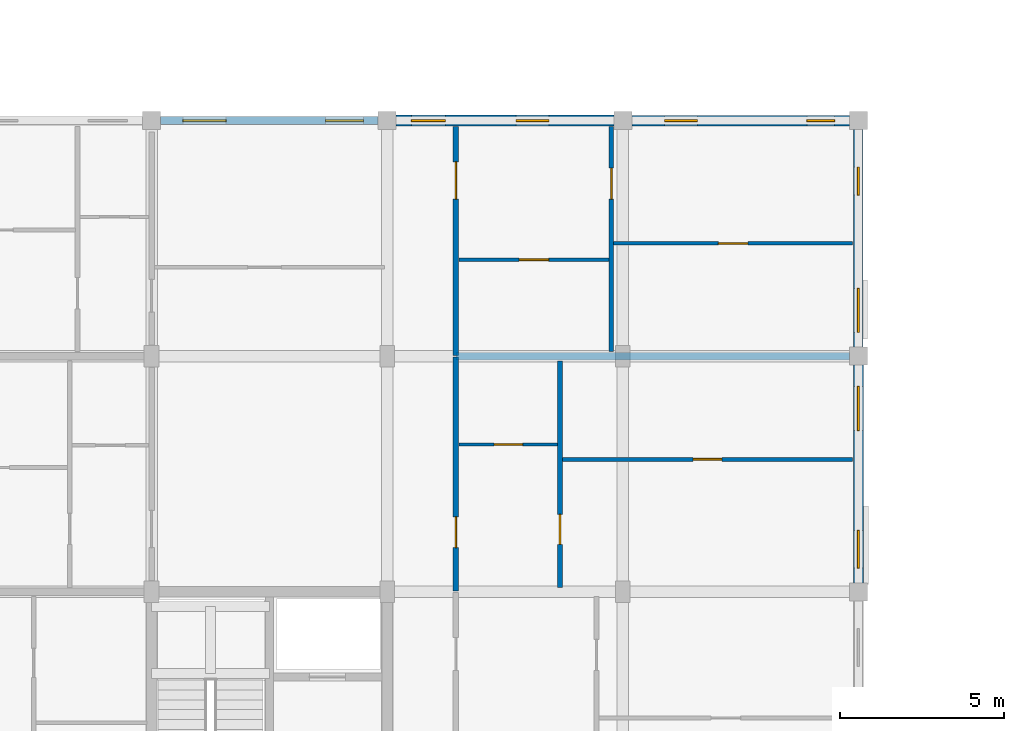
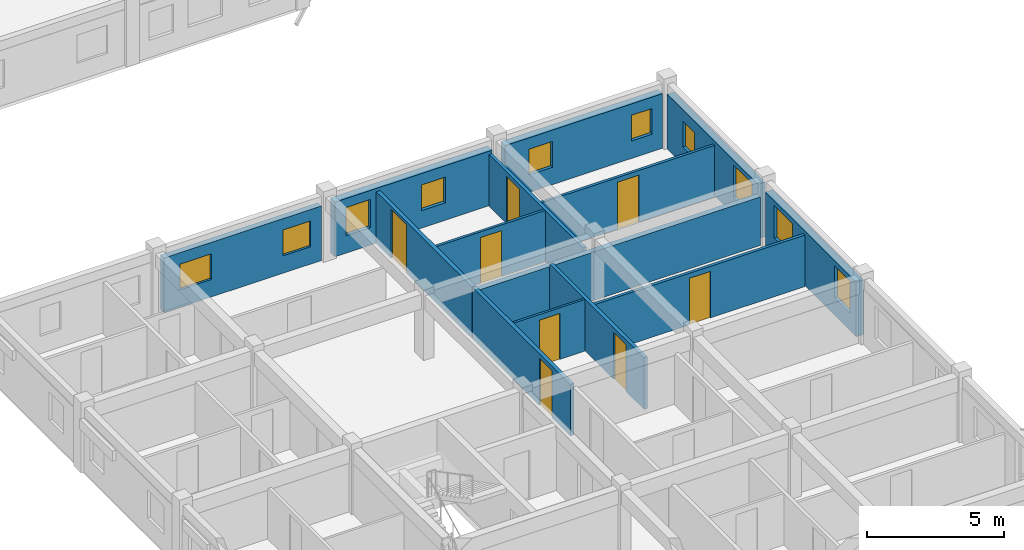
# One storey, part 54 of 77: 14 walls, 10 windows, 8 doors, 18 openings.
"""IFC4 building model written with IfcOpenShell, lengths in metres."""

from ifc_helpers import new_model, si_unit, direction, frame, frame_2d, origin, place, context, subcontext, project, spatial, rectangle, extrude, material, layer, layer_set, type_object, element, fill, save


model = new_model("IFC4")

# Units and contexts
model_context = context("Model", 3, precision=1e-05, world=origin(), true_north=direction((0.0, 1.0)))
body_context = subcontext(model_context, "Body", "Model", "MODEL_VIEW")
ifc_project = project(units=[si_unit("LENGTHUNIT", "METRE"), si_unit("AREAUNIT", "SQUARE_METRE"), si_unit("VOLUMEUNIT", "CUBIC_METRE"), si_unit("PLANEANGLEUNIT", "RADIAN"), si_unit("MASSUNIT", "GRAM", prefix="KILO"), si_unit("THERMODYNAMICTEMPERATUREUNIT", "KELVIN"), si_unit("POWERUNIT", "WATT")], contexts=[model_context])

# Site, building, storey
site_placement = place(None, origin())
site = spatial("IfcSite", under=ifc_project, at=site_placement, CompositionType="ELEMENT")
building_placement = place(site_placement, origin())
building = spatial("IfcBuilding", under=site, at=building_placement, Name="Tavuni Mirador Residences", CompositionType="ELEMENT")
storey_placement = place(building_placement, frame((0.0, 0.0, 17.10009765625)))
storey = spatial("IfcBuildingStorey", under=building, at=storey_placement, Name="L05", CompositionType="ELEMENT", Elevation=17.10009765625)

# Wall, opening, door
ifc_material_1 = material(Name="Precast concrete C40/50", Category="concrete")
ifc_layer_1 = layer(ifc_material_1, 0.1650390625, Name="Precast concrete C40/50", Category="concrete")
ifc_layer_set_1 = layer_set([ifc_layer_1], Name="Precast concrete C40/50")
wall_type_1 = type_object("IfcWallType", Name="WT-CORR165", PredefinedType="PARTITIONING", material=ifc_layer_set_1)
wall_1_placement = place(storey_placement, frame((20.10009765625, 36.02001953125, 0.0), z_axis=(0.0, 0.0, 1.0), x_axis=(0.0, 1.0, 0.0)))
wall_1 = element("IfcWall", 1, at=wall_1_placement, inside=storey, type_object=wall_type_1, Name="CORW-BLK-A-L05-0-04", PredefinedType="PARTITIONING", context=body_context, shape_type="SweptSolid", body=[
    extrude(rectangle(XDim=7.159912109375, YDim=0.1650390625, at=frame_2d((3.580078125, 0.0))), origin(), (0.0, 0.0, 1.0), 2.304931640625),
])
opening_1_placement = place(wall_1_placement, frame((1.330078125, 0.0, 0.0)))
opening_1 = element("IfcOpeningElement", 2, at=opening_1_placement, cuts=wall_1, Name="Opening D-19", PredefinedType="OPENING", context=body_context, shape_type="SweptSolid", body=[
    extrude(rectangle(XDim=0.93994140625, YDim=2.1201171875, at=frame_2d((0.469970703125, 1.06005859375))), frame((0.0, 0.092529296875, 0.0), z_axis=(0.0, -1.0, 0.0), x_axis=(1.0, 0.0, 0.0)), (0.0, 0.0, 1.0), 0.18505859375),
])
ifc_material_2 = material(Name="Solid core iroko timber", Category="wood")
door_type_1 = type_object("IfcDoorType", Name="DT-FD60-940", OperationType="NOTDEFINED", PredefinedType="DOOR", material=ifc_material_2)
door_1_placement = place(opening_1_placement, origin())
door_1 = element("IfcDoor", 3, at=door_1_placement, inside=storey, type_object=door_type_1, Name="DR-2437", OperationType="SINGLE_SWING_RIGHT", OverallHeight=2.1201171875, OverallWidth=0.93994140625, PredefinedType="DOOR", context=body_context, shape_type="SweptSolid", body=[
    extrude(rectangle(XDim=0.93994140625, YDim=2.1201171875, at=frame_2d((0.469970703125, 1.06005859375))), frame((0.0, 0.02490234375, 0.0), z_axis=(0.0, -1.0, 0.0), x_axis=(1.0, 0.0, 0.0)), (0.0, 0.0, 1.0), 0.050048828125),
])
fill(opening_1, door_1)

wall_2_placement = place(storey_placement, frame((20.10009765625, 43.219970703125, 0.0), z_axis=(0.0, 0.0, 1.0), x_axis=(0.0, 1.0, 0.0)))
wall_2 = element("IfcWall", 4, at=wall_2_placement, inside=storey, type_object=wall_type_1, Name="CORW-BLK-A-L05-0-05", PredefinedType="PARTITIONING", context=body_context, shape_type="SweptSolid", body=[
    extrude(rectangle(XDim=7.005126953125, YDim=0.1650390625, at=frame_2d((3.50244140625, 0.0))), origin(), (0.0, 0.0, 1.0), 2.304931640625),
])
opening_2_placement = place(wall_2_placement, frame((4.780029296875, 0.0, 0.0)))
opening_2 = element("IfcOpeningElement", 5, at=opening_2_placement, cuts=wall_2, Name="Opening D-20", PredefinedType="OPENING", context=body_context, shape_type="SweptSolid", body=[
    extrude(rectangle(XDim=1.139892578125, YDim=2.179931640625, at=frame_2d((0.56982421875, 1.08984375))), frame((0.0, 0.092529296875, 0.0), z_axis=(0.0, -1.0, 0.0), x_axis=(1.0, 0.0, 0.0)), (0.0, 0.0, 1.0), 0.18505859375),
])
door_type_2 = type_object("IfcDoorType", Name="DT-FD60-1140", OperationType="NOTDEFINED", PredefinedType="DOOR", material=ifc_material_2)
door_2_placement = place(opening_2_placement, origin())
door_2 = element("IfcDoor", 6, at=door_2_placement, inside=storey, type_object=door_type_2, Name="DR-2438", OperationType="SINGLE_SWING_LEFT", OverallHeight=2.179931640625, OverallWidth=1.139892578125, PredefinedType="DOOR", context=body_context, shape_type="SweptSolid", body=[
    extrude(rectangle(XDim=1.139892578125, YDim=2.179931640625, at=frame_2d((0.56982421875, 1.08984375))), frame((0.0, 0.02490234375, 0.0), z_axis=(0.0, -1.0, 0.0), x_axis=(1.0, 0.0, 0.0)), (0.0, 0.0, 1.0), 0.050048828125),
])
fill(opening_2, door_2)

# Wall, openings, windows
ifc_layer_2 = layer(ifc_material_1, 0.330078125, Name="Precast concrete C40/50", Category="concrete")
ifc_layer_set_2 = layer_set([ifc_layer_2], Name="Precast concrete C40/50")
wall_type_2 = type_object("IfcWallType", Name="WT-EXT-COR330", PredefinedType="SOLIDWALL", material=ifc_layer_set_2)
wall_3_placement = place(storey_placement, frame((24.925048828125, 50.39990234375, 0.0), z_axis=(0.0, 0.0, 1.0), x_axis=(-1.0, 0.0, 0.0)))
wall_3 = element("IfcWall", 7, at=wall_3_placement, inside=storey, type_object=wall_type_2, Name="EW-BLK-A-L05-N02", PredefinedType="SOLIDWALL", context=body_context, shape_type="SweptSolid", body=[
    extrude(rectangle(XDim=6.650146484375, YDim=0.330078125, at=frame_2d((3.3251953125, 0.0))), origin(), (0.0, 0.0, 1.0), 2.43994140625),
])
opening_3_placement = place(wall_3_placement, frame((1.982421875, 0.0, 0.780029296875)))
opening_3 = element("IfcOpeningElement", 8, at=opening_3_placement, cuts=wall_3, Name="Opening WN-03", PredefinedType="OPENING", context=body_context, shape_type="SweptSolid", body=[
    extrude(rectangle(XDim=1.0, YDim=1.14990234375, at=frame_2d((0.5, 0.574951171875))), frame((0.0, 0.175048828125, 0.0), z_axis=(0.0, -1.0, 0.0), x_axis=(1.0, 0.0, 0.0)), (0.0, 0.0, 1.0), 0.35009765625),
])
opening_4_placement = place(wall_3_placement, frame((5.1474609375, 0.0, 0.780029296875)))
opening_4 = element("IfcOpeningElement", 9, at=opening_4_placement, cuts=wall_3, Name="Opening WN-11", PredefinedType="OPENING", context=body_context, shape_type="SweptSolid", body=[
    extrude(rectangle(XDim=1.0400390625, YDim=1.260009765625, at=frame_2d((0.52001953125, 0.6298828125))), frame((0.0, 0.175048828125, 0.0), z_axis=(0.0, -1.0, 0.0), x_axis=(1.0, 0.0, 0.0)), (0.0, 0.0, 1.0), 0.35009765625),
])
ifc_material_3 = material(Name="Laminated solar-control glass", Category="glass")
window_type_1 = type_object("IfcWindowType", Name="WNT-03", PartitioningType="SINGLE_PANEL", PredefinedType="WINDOW", material=ifc_material_3)
window_1_placement = place(opening_3_placement, origin())
window_1 = element("IfcWindow", 10, at=window_1_placement, inside=storey, type_object=window_type_1, Name="WIN-0207", OverallHeight=1.14990234375, OverallWidth=1.0, PartitioningType="SINGLE_PANEL", PredefinedType="WINDOW", context=body_context, shape_type="SweptSolid", body=[
    extrude(rectangle(XDim=1.0, YDim=1.14990234375, at=frame_2d((0.5, 0.574951171875))), frame((0.0, 0.030029296875, 0.0), z_axis=(0.0, -1.0, 0.0), x_axis=(1.0, 0.0, 0.0)), (0.0, 0.0, 1.0), 0.06005859375),
])
fill(opening_3, window_1)
window_type_2 = type_object("IfcWindowType", Name="WNT-11", PartitioningType="SINGLE_PANEL", PredefinedType="WINDOW", material=ifc_material_3)
window_2_placement = place(opening_4_placement, origin())
window_2 = element("IfcWindow", 11, at=window_2_placement, inside=storey, type_object=window_type_2, Name="WIN-0208", OverallHeight=1.260009765625, OverallWidth=1.0400390625, PartitioningType="SINGLE_PANEL", PredefinedType="WINDOW", context=body_context, shape_type="SweptSolid", body=[
    extrude(rectangle(XDim=1.0400390625, YDim=1.260009765625, at=frame_2d((0.52001953125, 0.6298828125))), frame((0.0, 0.030029296875, 0.0), z_axis=(0.0, -1.0, 0.0), x_axis=(1.0, 0.0, 0.0)), (0.0, 0.0, 1.0), 0.06005859375),
])
fill(opening_4, window_2)

ifc_material_4 = material(Name="Sgraffito lime-rendered precast concrete C40/50", Category="concrete")
ifc_layer_3 = layer(ifc_material_4, 0.2451171875, Name="Sgraffito lime-rendered precast concrete C40/50", Category="concrete")
ifc_layer_set_3 = layer_set([ifc_layer_3], Name="Sgraffito lime-rendered precast concrete C40/50")
wall_type_3 = type_object("IfcWallType", Name="WT-EXT-PC245", PredefinedType="SOLIDWALL", material=ifc_layer_set_3)
wall_4_placement = place(storey_placement, frame((17.72509765625, 50.39990234375, 0.0), z_axis=(0.0, 0.0, 1.0), x_axis=(-1.0, 0.0, 0.0)))
wall_4 = element("IfcWall", 12, at=wall_4_placement, inside=storey, type_object=wall_type_3, Name="EW-BLK-A-L05-N01", PredefinedType="SOLIDWALL", context=body_context, shape_type="SweptSolid", body=[
    extrude(rectangle(XDim=6.650146484375, YDim=0.2451171875, at=frame_2d((3.3251953125, 0.0))), origin(), (0.0, 0.0, 1.0), 2.43994140625),
])
opening_5_placement = place(wall_4_placement, frame((0.449951171875, 0.0, 0.780029296875)))
opening_5 = element("IfcOpeningElement", 13, at=opening_5_placement, cuts=wall_4, Name="Opening WN-05", PredefinedType="OPENING", context=body_context, shape_type="SweptSolid", body=[
    extrude(rectangle(XDim=1.159912109375, YDim=1.14990234375, at=frame_2d((0.580078125, 0.574951171875))), frame((0.0, 0.132568359375, 0.0), z_axis=(0.0, -1.0, 0.0), x_axis=(1.0, 0.0, 0.0)), (0.0, 0.0, 1.0), 0.26513671875),
])
opening_6_placement = place(wall_4_placement, frame((4.64990234375, 0.0, 0.780029296875)))
opening_6 = element("IfcOpeningElement", 14, at=opening_6_placement, cuts=wall_4, Name="Opening WN-07", PredefinedType="OPENING", context=body_context, shape_type="SweptSolid", body=[
    extrude(rectangle(XDim=1.320068359375, YDim=1.14990234375, at=frame_2d((0.66015625, 0.574951171875))), frame((0.0, 0.132568359375, 0.0), z_axis=(0.0, -1.0, 0.0), x_axis=(1.0, 0.0, 0.0)), (0.0, 0.0, 1.0), 0.26513671875),
])
window_type_3 = type_object("IfcWindowType", Name="WNT-05", PartitioningType="SINGLE_PANEL", PredefinedType="WINDOW", material=ifc_material_3)
window_3_placement = place(opening_5_placement, origin())
window_3 = element("IfcWindow", 15, at=window_3_placement, inside=storey, type_object=window_type_3, Name="WIN-0209", OverallHeight=1.14990234375, OverallWidth=1.159912109375, PartitioningType="SINGLE_PANEL", PredefinedType="WINDOW", context=body_context, shape_type="SweptSolid", body=[
    extrude(rectangle(XDim=1.159912109375, YDim=1.14990234375, at=frame_2d((0.580078125, 0.574951171875))), frame((0.0, 0.030029296875, 0.0), z_axis=(0.0, -1.0, 0.0), x_axis=(1.0, 0.0, 0.0)), (0.0, 0.0, 1.0), 0.06005859375),
])
fill(opening_5, window_3)
window_type_4 = type_object("IfcWindowType", Name="WNT-07", PartitioningType="SINGLE_PANEL", PredefinedType="WINDOW", material=ifc_material_3)
window_4_placement = place(opening_6_placement, origin())
window_4 = element("IfcWindow", 16, at=window_4_placement, inside=storey, type_object=window_type_4, Name="WIN-0210", OverallHeight=1.14990234375, OverallWidth=1.320068359375, PartitioningType="SINGLE_PANEL", PredefinedType="WINDOW", context=body_context, shape_type="SweptSolid", body=[
    extrude(rectangle(XDim=1.320068359375, YDim=1.14990234375, at=frame_2d((0.66015625, 0.574951171875))), frame((0.0, 0.030029296875, 0.0), z_axis=(0.0, -1.0, 0.0), x_axis=(1.0, 0.0, 0.0)), (0.0, 0.0, 1.0), 0.06005859375),
])
fill(opening_6, window_4)

ifc_layer_4 = layer(ifc_material_4, 0.2900390625, Name="Sgraffito lime-rendered precast concrete C40/50", Category="concrete")
ifc_layer_set_4 = layer_set([ifc_layer_4], Name="Sgraffito lime-rendered precast concrete C40/50")
wall_type_4 = type_object("IfcWallType", Name="WT-EXT-PC290", PredefinedType="SOLIDWALL", material=ifc_layer_set_4)
wall_5_placement = place(storey_placement, frame((32.39990234375, 43.47509765625, 0.0), z_axis=(0.0, 0.0, 1.0), x_axis=(0.0, 1.0, 0.0)))
wall_5 = element("IfcWall", 17, at=wall_5_placement, inside=storey, type_object=wall_type_4, Name="EW-BLK-A-L05-E05", PredefinedType="SOLIDWALL", context=body_context, shape_type="SweptSolid", body=[
    extrude(rectangle(XDim=6.64990234375, YDim=0.2900390625, at=frame_2d((3.324951171875, 0.0))), origin(), (0.0, 0.0, 1.0), 2.43994140625),
])
opening_7_placement = place(wall_5_placement, frame((0.449951171875, 0.0, 0.780029296875)))
opening_7 = element("IfcOpeningElement", 18, at=opening_7_placement, cuts=wall_5, Name="Opening WN-29", PredefinedType="OPENING", context=body_context, shape_type="SweptSolid", body=[
    extrude(rectangle(XDim=1.35009765625, YDim=1.43994140625, at=frame_2d((0.675048828125, 0.719970703125))), frame((0.0, 0.155029296875, 0.0), z_axis=(0.0, -1.0, 0.0), x_axis=(1.0, 0.0, 0.0)), (0.0, 0.0, 1.0), 0.31005859375),
])
opening_8_placement = place(wall_5_placement, frame((4.64990234375, 0.0, 0.780029296875)))
opening_8 = element("IfcOpeningElement", 19, at=opening_8_placement, cuts=wall_5, Name="Opening WN-01", PredefinedType="OPENING", context=body_context, shape_type="SweptSolid", body=[
    extrude(rectangle(XDim=0.85009765625, YDim=1.14990234375, at=frame_2d((0.425048828125, 0.574951171875))), frame((0.0, 0.155029296875, 0.0), z_axis=(0.0, -1.0, 0.0), x_axis=(1.0, 0.0, 0.0)), (0.0, 0.0, 1.0), 0.31005859375),
])
window_type_5 = type_object("IfcWindowType", Name="WNT-01", PartitioningType="SINGLE_PANEL", PredefinedType="WINDOW", material=ifc_material_3)
window_5_placement = place(opening_8_placement, origin())
window_5 = element("IfcWindow", 20, at=window_5_placement, inside=storey, type_object=window_type_5, Name="WIN-0204", OverallHeight=1.14990234375, OverallWidth=0.85009765625, PartitioningType="SINGLE_PANEL", PredefinedType="WINDOW", context=body_context, shape_type="SweptSolid", body=[
    extrude(rectangle(XDim=0.85009765625, YDim=1.14990234375, at=frame_2d((0.425048828125, 0.574951171875))), frame((0.0, 0.030029296875, 0.0), z_axis=(0.0, -1.0, 0.0), x_axis=(1.0, 0.0, 0.0)), (0.0, 0.0, 1.0), 0.06005859375),
])
fill(opening_8, window_5)
window_type_6 = type_object("IfcWindowType", Name="WNT-29", PartitioningType="SINGLE_PANEL", PredefinedType="WINDOW", material=ifc_material_3)
window_6_placement = place(opening_7_placement, origin())
window_6 = element("IfcWindow", 21, at=window_6_placement, inside=storey, type_object=window_type_6, Name="WIN-0203", OverallHeight=1.43994140625, OverallWidth=1.35009765625, PartitioningType="SINGLE_PANEL", PredefinedType="WINDOW", context=body_context, shape_type="SweptSolid", body=[
    extrude(rectangle(XDim=1.35009765625, YDim=1.43994140625, at=frame_2d((0.675048828125, 0.719970703125))), frame((0.0, 0.030029296875, 0.0), z_axis=(0.0, -1.0, 0.0), x_axis=(1.0, 0.0, 0.0)), (0.0, 0.0, 1.0), 0.06005859375),
])
fill(opening_7, window_6)

ifc_layer_5 = layer(ifc_material_4, 0.304931640625, Name="Sgraffito lime-rendered precast concrete C40/50", Category="concrete")
ifc_layer_set_5 = layer_set([ifc_layer_5], Name="Sgraffito lime-rendered precast concrete C40/50")
wall_type_5 = type_object("IfcWallType", Name="WT-EXT-PC305", PredefinedType="SOLIDWALL", material=ifc_layer_set_5)
wall_6_placement = place(storey_placement, frame((32.39990234375, 36.27490234375, 0.0), z_axis=(0.0, 0.0, 1.0), x_axis=(0.0, 1.0, 0.0)))
wall_6 = element("IfcWall", 22, at=wall_6_placement, inside=storey, type_object=wall_type_5, Name="EW-BLK-A-L05-E04", PredefinedType="SOLIDWALL", context=body_context, shape_type="SweptSolid", body=[
    extrude(rectangle(XDim=6.650146484375, YDim=0.304931640625, at=frame_2d((3.3251953125, 0.0))), origin(), (0.0, 0.0, 1.0), 2.43994140625),
])
opening_9_placement = place(wall_6_placement, frame((0.449951171875, 0.0, 0.780029296875)))
opening_9 = element("IfcOpeningElement", 23, at=opening_9_placement, cuts=wall_6, Name="Opening WN-27", PredefinedType="OPENING", context=body_context, shape_type="SweptSolid", body=[
    extrude(rectangle(XDim=1.14990234375, YDim=1.43994140625, at=frame_2d((0.574951171875, 0.719970703125))), frame((0.0, 0.16259765625, 0.0), z_axis=(0.0, -1.0, 0.0), x_axis=(1.0, 0.0, 0.0)), (0.0, 0.0, 1.0), 0.324951171875),
])
opening_10_placement = place(wall_6_placement, frame((4.64990234375, 0.0, 0.780029296875)))
opening_10 = element("IfcOpeningElement", 24, at=opening_10_placement, cuts=wall_6, Name="Opening WN-29", PredefinedType="OPENING", context=body_context, shape_type="SweptSolid", body=[
    extrude(rectangle(XDim=1.35009765625, YDim=1.43994140625, at=frame_2d((0.675048828125, 0.719970703125))), frame((0.0, 0.16259765625, 0.0), z_axis=(0.0, -1.0, 0.0), x_axis=(1.0, 0.0, 0.0)), (0.0, 0.0, 1.0), 0.324951171875),
])
window_type_7 = type_object("IfcWindowType", Name="WNT-27", PartitioningType="SINGLE_PANEL", PredefinedType="WINDOW", material=ifc_material_3)
window_7_placement = place(opening_9_placement, origin())
window_7 = element("IfcWindow", 25, at=window_7_placement, inside=storey, type_object=window_type_7, Name="WIN-0201", OverallHeight=1.43994140625, OverallWidth=1.14990234375, PartitioningType="SINGLE_PANEL", PredefinedType="WINDOW", context=body_context, shape_type="SweptSolid", body=[
    extrude(rectangle(XDim=1.14990234375, YDim=1.43994140625, at=frame_2d((0.574951171875, 0.719970703125))), frame((0.0, 0.030029296875, 0.0), z_axis=(0.0, -1.0, 0.0), x_axis=(1.0, 0.0, 0.0)), (0.0, 0.0, 1.0), 0.06005859375),
])
fill(opening_9, window_7)
window_8_placement = place(opening_10_placement, origin())
window_8 = element("IfcWindow", 26, at=window_8_placement, inside=storey, type_object=window_type_6, Name="WIN-0202", OverallHeight=1.43994140625, OverallWidth=1.35009765625, PartitioningType="SINGLE_PANEL", PredefinedType="WINDOW", context=body_context, shape_type="SweptSolid", body=[
    extrude(rectangle(XDim=1.35009765625, YDim=1.43994140625, at=frame_2d((0.675048828125, 0.719970703125))), frame((0.0, 0.030029296875, 0.0), z_axis=(0.0, -1.0, 0.0), x_axis=(1.0, 0.0, 0.0)), (0.0, 0.0, 1.0), 0.06005859375),
])
fill(opening_10, window_8)

ifc_layer_6 = layer(ifc_material_4, 0.31494140625, Name="Sgraffito lime-rendered precast concrete C40/50", Category="concrete")
ifc_layer_set_6 = layer_set([ifc_layer_6], Name="Sgraffito lime-rendered precast concrete C40/50")
wall_type_6 = type_object("IfcWallType", Name="WT-EXT-PC315", PredefinedType="SOLIDWALL", material=ifc_layer_set_6)
wall_7_placement = place(storey_placement, frame((32.125, 50.39990234375, 0.0), z_axis=(0.0, 0.0, 1.0), x_axis=(-1.0, 0.0, 0.0)))
wall_7 = element("IfcWall", 27, at=wall_7_placement, inside=storey, type_object=wall_type_6, Name="EW-BLK-A-L05-N03", PredefinedType="SOLIDWALL", context=body_context, shape_type="SweptSolid", body=[
    extrude(rectangle(XDim=6.64990234375, YDim=0.31494140625, at=frame_2d((3.324951171875, 0.0))), origin(), (0.0, 0.0, 1.0), 2.43994140625),
])
opening_11_placement = place(wall_7_placement, frame((0.449951171875, 0.0, 0.780029296875)))
opening_11 = element("IfcOpeningElement", 28, at=opening_11_placement, cuts=wall_7, Name="Opening WN-01", PredefinedType="OPENING", context=body_context, shape_type="SweptSolid", body=[
    extrude(rectangle(XDim=0.85009765625, YDim=1.14990234375, at=frame_2d((0.425048828125, 0.574951171875))), frame((0.0, 0.16748046875, 0.0), z_axis=(0.0, -1.0, 0.0), x_axis=(1.0, 0.0, 0.0)), (0.0, 0.0, 1.0), 0.3349609375),
])
opening_12_placement = place(wall_7_placement, frame((4.64990234375, 0.0, 0.780029296875)))
opening_12 = element("IfcOpeningElement", 29, at=opening_12_placement, cuts=wall_7, Name="Opening WN-03", PredefinedType="OPENING", context=body_context, shape_type="SweptSolid", body=[
    extrude(rectangle(XDim=1.0, YDim=1.14990234375, at=frame_2d((0.5, 0.574951171875))), frame((0.0, 0.16748046875, 0.0), z_axis=(0.0, -1.0, 0.0), x_axis=(1.0, 0.0, 0.0)), (0.0, 0.0, 1.0), 0.3349609375),
])
window_9_placement = place(opening_11_placement, origin())
window_9 = element("IfcWindow", 30, at=window_9_placement, inside=storey, type_object=window_type_5, Name="WIN-0205", OverallHeight=1.14990234375, OverallWidth=0.85009765625, PartitioningType="SINGLE_PANEL", PredefinedType="WINDOW", context=body_context, shape_type="SweptSolid", body=[
    extrude(rectangle(XDim=0.85009765625, YDim=1.14990234375, at=frame_2d((0.425048828125, 0.574951171875))), frame((0.0, 0.030029296875, 0.0), z_axis=(0.0, -1.0, 0.0), x_axis=(1.0, 0.0, 0.0)), (0.0, 0.0, 1.0), 0.06005859375),
])
fill(opening_11, window_9)
window_10_placement = place(opening_12_placement, origin())
window_10 = element("IfcWindow", 31, at=window_10_placement, inside=storey, type_object=window_type_1, Name="WIN-0206", OverallHeight=1.14990234375, OverallWidth=1.0, PartitioningType="SINGLE_PANEL", PredefinedType="WINDOW", context=body_context, shape_type="SweptSolid", body=[
    extrude(rectangle(XDim=1.0, YDim=1.14990234375, at=frame_2d((0.5, 0.574951171875))), frame((0.0, 0.030029296875, 0.0), z_axis=(0.0, -1.0, 0.0), x_axis=(1.0, 0.0, 0.0)), (0.0, 0.0, 1.0), 0.06005859375),
])
fill(opening_12, window_10)

# Wall, opening, door
ifc_material_5 = material(Name="Acoustic gypsum and concrete block partition", Category="concrete")
ifc_layer_7 = layer(ifc_material_5, 0.094970703125, Name="Acoustic gypsum and concrete block partition", Category="concrete")
ifc_layer_set_7 = layer_set([ifc_layer_7], Name="Acoustic gypsum and concrete block partition")
wall_type_7 = type_object("IfcWallType", Name="WT-PART095", PredefinedType="PARTITIONING", material=ifc_layer_set_7)
wall_8_placement = place(storey_placement, frame((20.18994140625, 40.5, 0.0), z_axis=(0.0, 0.0, 1.0), x_axis=(1.0, 0.0, 0.0)))
wall_8 = element("IfcWall", 32, at=wall_8_placement, inside=storey, type_object=wall_type_7, Name="PW-BLK-A-L05-E04-IN1", PredefinedType="PARTITIONING", context=body_context, shape_type="SweptSolid", body=[
    extrude(rectangle(XDim=3.02001953125, YDim=0.094970703125, at=frame_2d((1.510009765625, 0.0))), origin(), (0.0, 0.0, 1.0), 2.304931640625),
])
opening_13_placement = place(wall_8_placement, frame((1.074951171875, 0.0, 0.0)))
opening_13 = element("IfcOpeningElement", 33, at=opening_13_placement, cuts=wall_8, Name="Opening D-10", PredefinedType="OPENING", context=body_context, shape_type="SweptSolid", body=[
    extrude(rectangle(XDim=0.8701171875, YDim=2.050048828125, at=frame_2d((0.43505859375, 1.02490234375))), frame((0.0, 0.0576171875, 0.0), z_axis=(0.0, -1.0, 0.0), x_axis=(1.0, 0.0, 0.0)), (0.0, 0.0, 1.0), 0.114990234375),
])
door_type_3 = type_object("IfcDoorType", Name="DT-WC870", OperationType="NOTDEFINED", PredefinedType="DOOR", material=ifc_material_2)
door_3_placement = place(opening_13_placement, origin())
door_3 = element("IfcDoor", 34, at=door_3_placement, inside=storey, type_object=door_type_3, Name="DR-3125", OperationType="SINGLE_SWING_LEFT", OverallHeight=2.050048828125, OverallWidth=0.8701171875, PredefinedType="DOOR", context=body_context, shape_type="SweptSolid", body=[
    extrude(rectangle(XDim=0.8701171875, YDim=2.050048828125, at=frame_2d((0.43505859375, 1.02490234375))), frame((0.0, 0.02490234375, 0.0), z_axis=(0.0, -1.0, 0.0), x_axis=(1.0, 0.0, 0.0)), (0.0, 0.0, 1.0), 0.050048828125),
])
fill(opening_13, door_3)

ifc_layer_8 = layer(ifc_material_5, 0.10498046875, Name="Acoustic gypsum and concrete block partition", Category="concrete")
ifc_layer_set_8 = layer_set([ifc_layer_8], Name="Acoustic gypsum and concrete block partition")
wall_type_8 = type_object("IfcWallType", Name="WT-PART105", PredefinedType="PARTITIONING", material=ifc_layer_set_8)
wall_9_placement = place(storey_placement, frame((20.18994140625, 46.14990234375, 0.0), z_axis=(0.0, 0.0, 1.0), x_axis=(1.0, 0.0, 0.0)))
wall_9 = element("IfcWall", 35, at=wall_9_placement, inside=storey, type_object=wall_type_8, Name="PW-BLK-A-L05-E05-IN1", PredefinedType="PARTITIONING", context=body_context, shape_type="SweptSolid", body=[
    extrude(rectangle(XDim=4.590087890625, YDim=0.10498046875, at=frame_2d((2.294921875, 0.0))), origin(), (0.0, 0.0, 1.0), 2.304931640625),
])
opening_14_placement = place(wall_9_placement, frame((1.844970703125, 0.0, 0.0)))
opening_14 = element("IfcOpeningElement", 36, at=opening_14_placement, cuts=wall_9, Name="Opening D-09", PredefinedType="OPENING", context=body_context, shape_type="SweptSolid", body=[
    extrude(rectangle(XDim=0.89990234375, YDim=2.050048828125, at=frame_2d((0.449951171875, 1.02490234375))), frame((0.0, 0.0625, 0.0), z_axis=(0.0, -1.0, 0.0), x_axis=(1.0, 0.0, 0.0)), (0.0, 0.0, 1.0), 0.125),
])
door_type_4 = type_object("IfcDoorType", Name="DT-WC900", OperationType="NOTDEFINED", PredefinedType="DOOR", material=ifc_material_2)
door_4_placement = place(opening_14_placement, origin())
door_4 = element("IfcDoor", 37, at=door_4_placement, inside=storey, type_object=door_type_4, Name="DR-3132", OperationType="SINGLE_SWING_RIGHT", OverallHeight=2.050048828125, OverallWidth=0.89990234375, PredefinedType="DOOR", context=body_context, shape_type="SweptSolid", body=[
    extrude(rectangle(XDim=0.89990234375, YDim=2.050048828125, at=frame_2d((0.449951171875, 1.02490234375))), frame((0.0, 0.02490234375, 0.0), z_axis=(0.0, -1.0, 0.0), x_axis=(1.0, 0.0, 0.0)), (0.0, 0.0, 1.0), 0.050048828125),
])
fill(opening_14, door_4)

ifc_layer_9 = layer(ifc_material_5, 0.114990234375, Name="Acoustic gypsum and concrete block partition", Category="concrete")
ifc_layer_set_9 = layer_set([ifc_layer_9], Name="Acoustic gypsum and concrete block partition")
wall_type_9 = type_object("IfcWallType", Name="WT-PART115", PredefinedType="PARTITIONING", material=ifc_layer_set_9)
wall_10_placement = place(storey_placement, frame((24.919921875, 46.64990234375, 0.0), z_axis=(0.0, 0.0, 1.0), x_axis=(1.0, 0.0, 0.0)))
wall_10 = element("IfcWall", 38, at=wall_10_placement, inside=storey, type_object=wall_type_9, Name="PW-BLK-A-L05-E05-OUT", PredefinedType="PARTITIONING", context=body_context, shape_type="SweptSolid", body=[
    extrude(rectangle(XDim=7.30517578125, YDim=0.114990234375, at=frame_2d((3.652587890625, 0.0))), origin(), (0.0, 0.0, 1.0), 2.304931640625),
])
opening_15_placement = place(wall_10_placement, frame((3.202392578125, 0.0, 0.0)))
opening_15 = element("IfcOpeningElement", 39, at=opening_15_placement, cuts=wall_10, Name="Opening D-07", PredefinedType="OPENING", context=body_context, shape_type="SweptSolid", body=[
    extrude(rectangle(XDim=0.89990234375, YDim=2.10009765625, at=frame_2d((0.449951171875, 1.050048828125))), frame((0.0, 0.0673828125, 0.0), z_axis=(0.0, -1.0, 0.0), x_axis=(1.0, 0.0, 0.0)), (0.0, 0.0, 1.0), 0.135009765625),
])
door_type_5 = type_object("IfcDoorType", Name="DT-BED900", OperationType="NOTDEFINED", PredefinedType="DOOR", material=ifc_material_2)
door_5_placement = place(opening_15_placement, origin())
door_5 = element("IfcDoor", 40, at=door_5_placement, inside=storey, type_object=door_type_5, Name="DR-3131", OperationType="SINGLE_SWING_LEFT", OverallHeight=2.10009765625, OverallWidth=0.89990234375, PredefinedType="DOOR", context=body_context, shape_type="SweptSolid", body=[
    extrude(rectangle(XDim=0.89990234375, YDim=2.10009765625, at=frame_2d((0.449951171875, 1.050048828125))), frame((0.0, 0.02490234375, 0.0), z_axis=(0.0, -1.0, 0.0), x_axis=(1.0, 0.0, 0.0)), (0.0, 0.0, 1.0), 0.050048828125),
])
fill(opening_15, door_5)

ifc_layer_10 = layer(ifc_material_5, 0.125, Name="Acoustic gypsum and concrete block partition", Category="concrete")
ifc_layer_set_10 = layer_set([ifc_layer_10], Name="Acoustic gypsum and concrete block partition")
wall_type_10 = type_object("IfcWallType", Name="WT-PART125", PredefinedType="PARTITIONING", material=ifc_layer_set_10)
wall_11_placement = place(storey_placement, frame((23.35009765625, 40.050048828125, 0.0), z_axis=(0.0, 0.0, 1.0), x_axis=(1.0, 0.0, 0.0)))
wall_11 = element("IfcWall", 41, at=wall_11_placement, inside=storey, type_object=wall_type_10, Name="PW-BLK-A-L05-E04-OUT", PredefinedType="PARTITIONING", context=body_context, shape_type="SweptSolid", body=[
    extrude(rectangle(XDim=8.875, YDim=0.125, at=frame_2d((4.4375, 0.0))), origin(), (0.0, 0.0, 1.0), 2.304931640625),
])
opening_16_placement = place(wall_11_placement, frame((3.99755859375, 0.0, 0.0)))
opening_16 = element("IfcOpeningElement", 42, at=opening_16_placement, cuts=wall_11, Name="Opening D-08", PredefinedType="OPENING", context=body_context, shape_type="SweptSolid", body=[
    extrude(rectangle(XDim=0.8798828125, YDim=2.080078125, at=frame_2d((0.43994140625, 1.0400390625))), frame((0.0, 0.072509765625, 0.0), z_axis=(0.0, -1.0, 0.0), x_axis=(1.0, 0.0, 0.0)), (0.0, 0.0, 1.0), 0.14501953125),
])
door_type_6 = type_object("IfcDoorType", Name="DT-BED880", OperationType="NOTDEFINED", PredefinedType="DOOR", material=ifc_material_2)
door_6_placement = place(opening_16_placement, origin())
door_6 = element("IfcDoor", 43, at=door_6_placement, inside=storey, type_object=door_type_6, Name="DR-3124", OperationType="SINGLE_SWING_RIGHT", OverallHeight=2.080078125, OverallWidth=0.8798828125, PredefinedType="DOOR", context=body_context, shape_type="SweptSolid", body=[
    extrude(rectangle(XDim=0.8798828125, YDim=2.080078125, at=frame_2d((0.43994140625, 1.0400390625))), frame((0.0, 0.02490234375, 0.0), z_axis=(0.0, -1.0, 0.0), x_axis=(1.0, 0.0, 0.0)), (0.0, 0.0, 1.0), 0.050048828125),
])
fill(opening_16, door_6)

ifc_layer_11 = layer(ifc_material_5, 0.139892578125, Name="Acoustic gypsum and concrete block partition", Category="concrete")
ifc_layer_set_11 = layer_set([ifc_layer_11], Name="Acoustic gypsum and concrete block partition")
wall_type_11 = type_object("IfcWallType", Name="WT-PART140", PredefinedType="PARTITIONING", material=ifc_layer_set_11)
wall_12_placement = place(storey_placement, frame((24.85009765625, 43.340087890625, 0.0), z_axis=(0.0, 0.0, 1.0), x_axis=(0.0, 1.0, 0.0)))
wall_12 = element("IfcWall", 44, at=wall_12_placement, inside=storey, type_object=wall_type_11, Name="PW-BLK-A-L05-E05-MID", PredefinedType="PARTITIONING", context=body_context, shape_type="SweptSolid", body=[
    extrude(rectangle(XDim=6.885009765625, YDim=0.139892578125, at=frame_2d((3.4423828125, 0.0))), origin(), (0.0, 0.0, 1.0), 2.304931640625),
])
opening_17_placement = place(wall_12_placement, frame((4.659912109375, 0.0, 0.0)))
opening_17 = element("IfcOpeningElement", 45, at=opening_17_placement, cuts=wall_12, Name="Opening D-05", PredefinedType="OPENING", context=body_context, shape_type="SweptSolid", body=[
    extrude(rectangle(XDim=0.949951171875, YDim=2.10009765625, at=frame_2d((0.47509765625, 1.050048828125))), frame((0.0, 0.080078125, 0.0), z_axis=(0.0, -1.0, 0.0), x_axis=(1.0, 0.0, 0.0)), (0.0, 0.0, 1.0), 0.159912109375),
])
door_type_7 = type_object("IfcDoorType", Name="DT-INT950", OperationType="NOTDEFINED", PredefinedType="DOOR", material=ifc_material_2)
door_7_placement = place(opening_17_placement, origin())
door_7 = element("IfcDoor", 46, at=door_7_placement, inside=storey, type_object=door_type_7, Name="DR-3133", OperationType="SINGLE_SWING_LEFT", OverallHeight=2.10009765625, OverallWidth=0.949951171875, PredefinedType="DOOR", context=body_context, shape_type="SweptSolid", body=[
    extrude(rectangle(XDim=0.949951171875, YDim=2.10009765625, at=frame_2d((0.47509765625, 1.050048828125))), frame((0.0, 0.02490234375, 0.0), z_axis=(0.0, -1.0, 0.0), x_axis=(1.0, 0.0, 0.0)), (0.0, 0.0, 1.0), 0.050048828125),
])
fill(opening_17, door_7)

ifc_layer_12 = layer(ifc_material_5, 0.14990234375, Name="Acoustic gypsum and concrete block partition", Category="concrete")
ifc_layer_set_12 = layer_set([ifc_layer_12], Name="Acoustic gypsum and concrete block partition")
wall_type_12 = type_object("IfcWallType", Name="WT-PART150", PredefinedType="PARTITIONING", material=ifc_layer_set_12)
wall_13_placement = place(storey_placement, frame((23.280029296875, 36.139892578125, 0.0), z_axis=(0.0, 0.0, 1.0), x_axis=(0.0, 1.0, 0.0)))
wall_13 = element("IfcWall", 47, at=wall_13_placement, inside=storey, type_object=wall_type_12, Name="PW-BLK-A-L05-E04-MID", PredefinedType="PARTITIONING", context=body_context, shape_type="SweptSolid", body=[
    extrude(rectangle(XDim=6.920166015625, YDim=0.14990234375, at=frame_2d((3.4599609375, 0.0))), origin(), (0.0, 0.0, 1.0), 2.304931640625),
])
opening_18_placement = place(wall_13_placement, frame((1.31005859375, 0.0, 0.0)))
opening_18 = element("IfcOpeningElement", 48, at=opening_18_placement, cuts=wall_13, Name="Opening D-06", PredefinedType="OPENING", context=body_context, shape_type="SweptSolid", body=[
    extrude(rectangle(XDim=0.919921875, YDim=2.10009765625, at=frame_2d((0.4599609375, 1.050048828125))), frame((0.0, 0.0849609375, 0.0), z_axis=(0.0, -1.0, 0.0), x_axis=(1.0, 0.0, 0.0)), (0.0, 0.0, 1.0), 0.169921875),
])
door_type_8 = type_object("IfcDoorType", Name="DT-INT920", OperationType="NOTDEFINED", PredefinedType="DOOR", material=ifc_material_2)
door_8_placement = place(opening_18_placement, origin())
door_8 = element("IfcDoor", 49, at=door_8_placement, inside=storey, type_object=door_type_8, Name="DR-3126", OperationType="SINGLE_SWING_RIGHT", OverallHeight=2.10009765625, OverallWidth=0.919921875, PredefinedType="DOOR", context=body_context, shape_type="SweptSolid", body=[
    extrude(rectangle(XDim=0.919921875, YDim=2.10009765625, at=frame_2d((0.4599609375, 1.050048828125))), frame((0.0, 0.02490234375, 0.0), z_axis=(0.0, -1.0, 0.0), x_axis=(1.0, 0.0, 0.0)), (0.0, 0.0, 1.0), 0.050048828125),
])
fill(opening_18, door_8)

# Wall
ifc_layer_13 = layer(ifc_material_1, 0.235107421875, Name="Precast concrete C40/50", Category="concrete")
ifc_layer_set_13 = layer_set([ifc_layer_13], Name="Precast concrete C40/50")
wall_type_13 = type_object("IfcWallType", Name="WT-XW235", PredefinedType="SOLIDWALL", material=ifc_layer_set_13)
wall_14_placement = place(storey_placement, frame((20.10009765625, 43.199951171875, 0.0), z_axis=(0.0, 0.0, 1.0), x_axis=(1.0, 0.0, 0.0)))
element("IfcWall", 50, at=wall_14_placement, inside=storey, type_object=wall_type_13, Name="XW-BLK-A-L05-E-05", PredefinedType="SOLIDWALL", context=body_context, shape_type="SweptSolid", body=[
    extrude(rectangle(XDim=12.02490234375, YDim=0.235107421875, at=frame_2d((6.012451171875, 0.0))), origin(), (0.0, 0.0, 1.0), 2.169921875),
])

save(model, "model.ifc")
